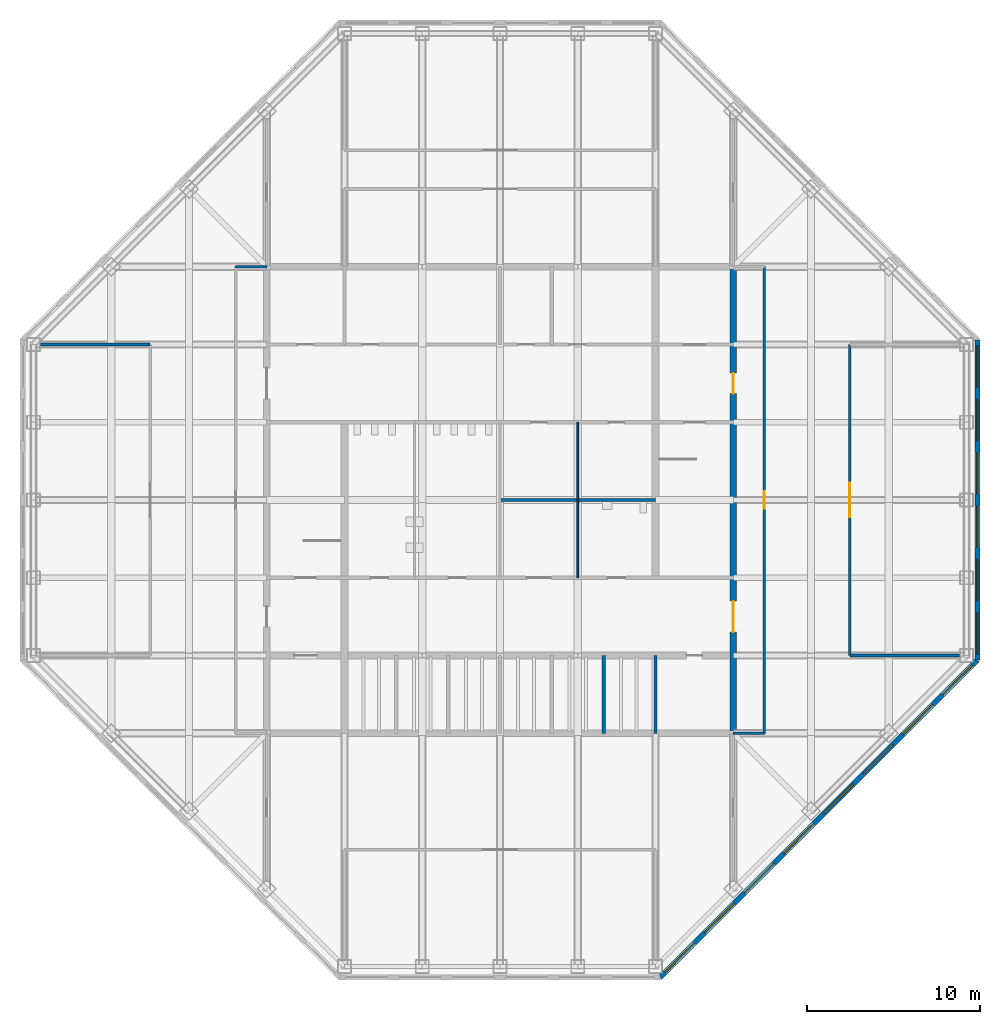
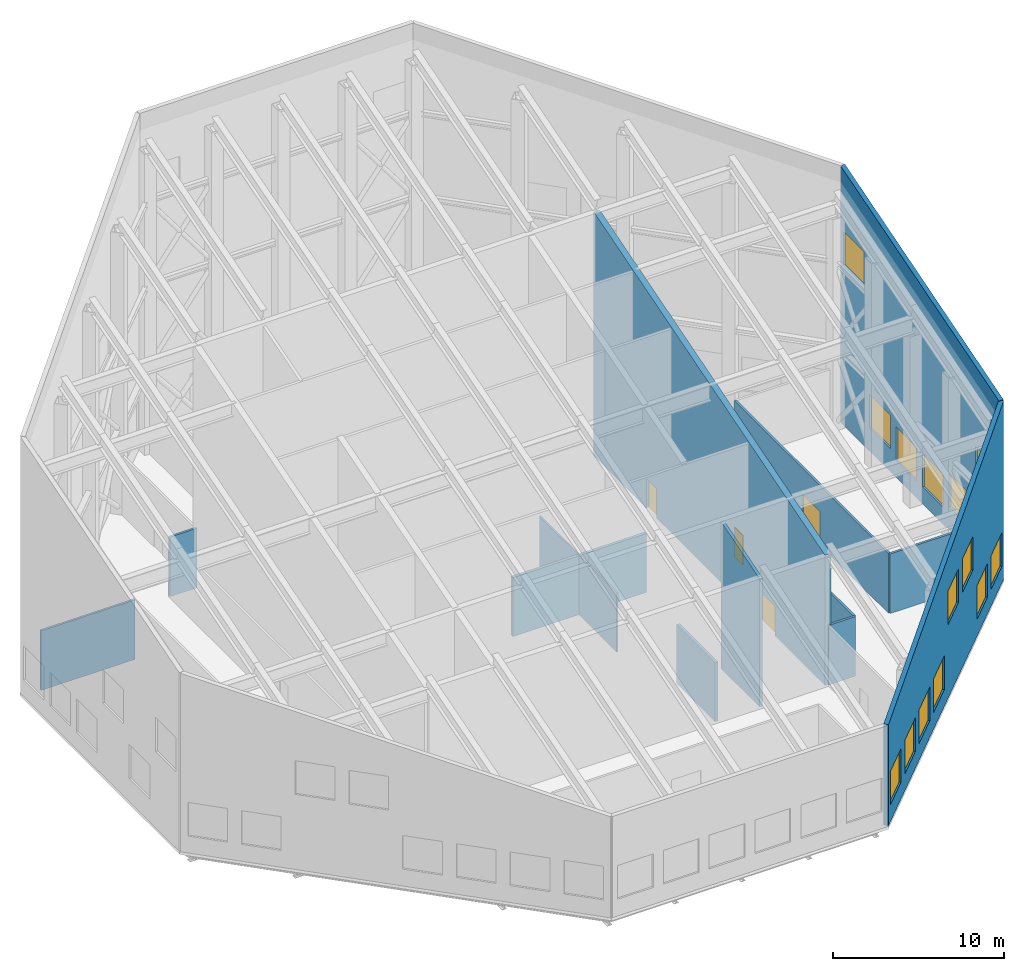
# One storey, part 6 of 10: 14 windows, 13 walls, 4 doors, 18 openings.
"""IFC4 building model written with IfcOpenShell, lengths in metres."""

from ifc_helpers import new_model, si_unit, direction, frame, frame_2d, origin, place, context, subcontext, project, spatial, polyline, rectangle, outline, extrude, material, layer, layer_set, type_object, element, fill, save


model = new_model("IFC4")

# Units and contexts
model_context = context("Model", 3, precision=1e-05, world=origin(), true_north=direction((0.0, 1.0)))
body_context = subcontext(model_context, "Body", "Model", "MODEL_VIEW")
ifc_project = project(units=[si_unit("LENGTHUNIT", "METRE"), si_unit("AREAUNIT", "SQUARE_METRE"), si_unit("VOLUMEUNIT", "CUBIC_METRE"), si_unit("PLANEANGLEUNIT", "RADIAN"), si_unit("MASSUNIT", "GRAM", prefix="KILO")], contexts=[model_context])

# Site, building, storey
site_placement = place(None, origin())
site = spatial("IfcSite", under=ifc_project, at=site_placement, CompositionType="ELEMENT")
building_placement = place(site_placement, origin())
building = spatial("IfcBuilding", under=site, at=building_placement, Name="Corais Broadcast Tower", CompositionType="ELEMENT")
storey_placement = place(building_placement, frame((0.0, 0.0, 320.10009765625)))
storey = spatial("IfcBuildingStorey", under=building, at=storey_placement, Name="L75", CompositionType="ELEMENT", Elevation=320.10009765625)

# Wall
ifc_material_1 = material(Name="Concrete blockwork class A, grouted, two-hour", Category="masonry")
ifc_layer_1 = layer(ifc_material_1, 0.199951171875)
ifc_layer_set_1 = layer_set([ifc_layer_1], Name="Concrete blockwork class A, grouted, two-hour")
wall_type_1 = type_object("IfcWallType", Name="Core lobby wall 200", PredefinedType="SOLIDWALL", material=ifc_layer_set_1)
wall_1_placement = place(storey_placement, frame((36.0, 13.5, 0.0), z_axis=(0.0, 0.0, 1.0), x_axis=(0.0, 1.0, 0.0)))
element("IfcWall", 1, at=wall_1_placement, inside=storey, type_object=wall_type_1, Name="CL3 core shaft wall X36A L75", PredefinedType="SOLIDWALL", context=body_context, shape_type="SweptSolid", body=[
    extrude(outline(polyline([(0.0, 0.0), (4.5, 0.0), (4.5, 10.47705078125), (0.0, 9.126953125), (0.0, 0.0)])), frame((0.0, 0.10009765625, 0.0), z_axis=(0.0, -1.0, 0.0), x_axis=(1.0, 0.0, 0.0)), (0.0, 0.0, 1.0), 0.199951171875),
])

# Wall, openings, doors
ifc_material_2 = material(Name="Concrete C50/60", Category="concrete")
ifc_layer_2 = layer(ifc_material_2, 0.39990234375)
ifc_layer_set_2 = layer_set([ifc_layer_2], Name="Concrete C50/60")
wall_type_2 = type_object("IfcWallType", Name="Core wall 400", PredefinedType="SHEAR", material=ifc_layer_set_2)
wall_2_placement = place(storey_placement, frame((40.5, 13.5, 0.0), z_axis=(0.0, 0.0, 1.0), x_axis=(0.0, 1.0, 0.0)))
wall_2 = element("IfcWall", 2, at=wall_2_placement, inside=storey, type_object=wall_type_2, Name="CR400 core wall E L75", PredefinedType="SHEAR", context=body_context, shape_type="SweptSolid", body=[
    extrude(outline(polyline([(0.0, 0.0), (27.0, 0.0), (27.0, 17.376953125), (0.0, 9.277099609375), (0.0, 0.0)])), frame((0.0, 0.199951171875, 0.0), z_axis=(0.0, -1.0, 0.0), x_axis=(1.0, 0.0, 0.0)), (0.0, 0.0, 1.0), 0.39990234375),
])
opening_1_placement = place(wall_2_placement, frame((5.85009765625, 0.0, 0.0)))
opening_1 = element("IfcOpeningElement", 3, at=opening_1_placement, cuts=wall_2, Name="Opening FD2", PredefinedType="OPENING", context=body_context, shape_type="SweptSolid", body=[
    extrude(rectangle(XDim=1.800048828125, YDim=2.10009765625, at=frame_2d((0.89990234375, 1.050048828125))), frame((0.0, 0.2099609375, 0.0), z_axis=(0.0, -1.0, 0.0), x_axis=(1.0, 0.0, 0.0)), (0.0, 0.0, 1.0), 0.419921875),
])
opening_2_placement = place(wall_2_placement, frame((19.64990234375, 0.0, 0.0)))
opening_2 = element("IfcOpeningElement", 4, at=opening_2_placement, cuts=wall_2, Name="Opening FD1", PredefinedType="OPENING", context=body_context, shape_type="SweptSolid", body=[
    extrude(rectangle(XDim=1.199951171875, YDim=2.10009765625, at=frame_2d((0.60009765625, 1.050048828125))), frame((0.0, 0.2099609375, 0.0), z_axis=(0.0, -1.0, 0.0), x_axis=(1.0, 0.0, 0.0)), (0.0, 0.0, 1.0), 0.419921875),
])
ifc_material_3 = material(Name="Steel fire door", Category="steel")
door_type_1 = type_object("IfcDoorType", Name="Fire door 1200x2100", OperationType="SINGLE_SWING_LEFT", PredefinedType="DOOR", material=ifc_material_3)
door_1_placement = place(opening_2_placement, origin())
door_1 = element("IfcDoor", 5, at=door_1_placement, inside=storey, type_object=door_type_1, Name="FD1 fire lobby B door L75", OperationType="SINGLE_SWING_RIGHT", OverallHeight=2.10009765625, OverallWidth=1.199951171875, PredefinedType="DOOR", context=body_context, shape_type="SweptSolid", body=[
    extrude(rectangle(XDim=1.199951171875, YDim=2.10009765625, at=frame_2d((0.60009765625, 1.050048828125))), frame((0.0, 0.02490234375, 0.0), z_axis=(0.0, -1.0, 0.0), x_axis=(1.0, 0.0, 0.0)), (0.0, 0.0, 1.0), 0.050048828125),
])
fill(opening_2, door_1)
ifc_material_4 = material(Name="Steel fire door", Category="steel")
door_type_2 = type_object("IfcDoorType", Name="Fire door pair 1800x2100", OperationType="DOUBLE_DOOR_SINGLE_SWING", PredefinedType="DOOR", material=ifc_material_4)
door_2_placement = place(opening_1_placement, origin())
door_2 = element("IfcDoor", 6, at=door_2_placement, inside=storey, type_object=door_type_2, Name="FD2 lift lobby door L75", OperationType="SINGLE_SWING_LEFT", OverallHeight=2.10009765625, OverallWidth=1.800048828125, PredefinedType="DOOR", context=body_context, shape_type="SweptSolid", body=[
    extrude(rectangle(XDim=1.800048828125, YDim=2.10009765625, at=frame_2d((0.89990234375, 1.050048828125))), frame((0.0, 0.02490234375, 0.0), z_axis=(0.0, -1.0, 0.0), x_axis=(1.0, 0.0, 0.0)), (0.0, 0.0, 1.0), 0.050048828125),
])
fill(opening_1, door_2)

# Walls
ifc_material_5 = material(Name="Two layers of fire-rated gypsum board each side on steel studs", Category="steel")
ifc_layer_3 = layer(ifc_material_5, 0.14990234375)
ifc_layer_set_3 = layer_set([ifc_layer_3], Name="Two layers of fire-rated gypsum board each side on steel studs")
wall_type_3 = type_object("IfcWallType", Name="Fire-rated partition 150 EI 60", PredefinedType="PARTITIONING", material=ifc_layer_set_3)
for number, where, z_axis, x_axis, name in (
    (7, (6.75, 36.0, 0.0), (0.0, 0.0, 1.0), (-1.0, 0.0, 0.0), "IW7 partition L75"),
    (8, (47.25, 18.0, 0.0), (0.0, 0.0, 1.0), (1.0, 0.0, 0.0), "IW7 partition L75"),
):
    element("IfcWall", number, at=place(storey_placement, frame(where, z_axis=z_axis, x_axis=x_axis)), inside=storey, type_object=wall_type_3, Name=name, PredefinedType="PARTITIONING", context=body_context, shape_type="SweptSolid", body=[
        extrude(rectangle(XDim=6.340087890625, YDim=0.14990234375, at=frame_2d((3.169921875, 0.0))), origin(), (0.0, 0.0, 1.0), 4.245849609375),
    ])

# Wall, opening, door
wall_3_placement = place(storey_placement, frame((47.25, 36.0, 0.0), z_axis=(0.0, 0.0, 1.0), x_axis=(0.0, -1.0, 0.0)))
wall_3 = element("IfcWall", 9, at=wall_3_placement, inside=storey, type_object=wall_type_3, Name="IW7 partition L75", PredefinedType="PARTITIONING", context=body_context, shape_type="SweptSolid", body=[
    extrude(rectangle(XDim=18.0, YDim=0.14990234375, at=frame_2d((9.0, 0.0))), origin(), (0.0, 0.0, 1.0), 4.245849609375),
])
opening_3_placement = place(wall_3_placement, frame((8.0, 0.0, 0.0)))
opening_3 = element("IfcOpeningElement", 10, at=opening_3_placement, cuts=wall_3, Name="Opening D4", PredefinedType="OPENING", context=body_context, shape_type="SweptSolid", body=[
    extrude(rectangle(XDim=2.0, YDim=2.39990234375, at=frame_2d((1.0, 1.199951171875))), frame((0.0, 0.0849609375, 0.0), z_axis=(0.0, -1.0, 0.0), x_axis=(1.0, 0.0, 0.0)), (0.0, 0.0, 1.0), 0.169921875),
])
ifc_material_6 = material(Name="Steel door", Category="steel")
door_type_3 = type_object("IfcDoorType", Name="Plant room door pair 2000x2400", OperationType="DOUBLE_DOOR_SINGLE_SWING", PredefinedType="DOOR", material=ifc_material_6)
door_3_placement = place(opening_3_placement, origin())
door_3 = element("IfcDoor", 11, at=door_3_placement, inside=storey, type_object=door_type_3, Name="D4 Electrical switch room door", OperationType="SINGLE_SWING_LEFT", OverallHeight=2.39990234375, OverallWidth=2.0, PredefinedType="DOOR", context=body_context, shape_type="SweptSolid", body=[
    extrude(rectangle(XDim=2.0, YDim=2.39990234375, at=frame_2d((1.0, 1.199951171875))), frame((0.0, 0.02490234375, 0.0), z_axis=(0.0, -1.0, 0.0), x_axis=(1.0, 0.0, 0.0)), (0.0, 0.0, 1.0), 0.050048828125),
])
fill(opening_3, door_3)

ifc_material_7 = material(Name="Gypsum board on steel studs", Category="steel")
ifc_layer_4 = layer(ifc_material_7, 0.14990234375)
ifc_layer_set_4 = layer_set([ifc_layer_4], Name="Gypsum board on steel studs")
wall_type_4 = type_object("IfcWallType", Name="Partition 150", PredefinedType="PARTITIONING", material=ifc_layer_set_4)
wall_4_placement = place(storey_placement, frame((42.300048828125, 13.5, 0.0), z_axis=(0.0, 0.0, 1.0), x_axis=(0.0, 1.0, 0.0)))
wall_4 = element("IfcWall", 12, at=wall_4_placement, inside=storey, type_object=wall_type_4, Name="IW3 corridor wall L75", PredefinedType="PARTITIONING", context=body_context, shape_type="SweptSolid", body=[
    extrude(rectangle(XDim=27.0, YDim=0.14990234375, at=frame_2d((13.5, 0.0))), origin(), (0.0, 0.0, 1.0), 4.245849609375),
])
opening_4_placement = place(wall_4_placement, frame((13.0, 0.0, 0.0)))
opening_4 = element("IfcOpeningElement", 13, at=opening_4_placement, cuts=wall_4, Name="Opening D1", PredefinedType="OPENING", context=body_context, shape_type="SweptSolid", body=[
    extrude(rectangle(XDim=1.0, YDim=2.10009765625, at=frame_2d((0.5, 1.050048828125))), frame((0.0, 0.0849609375, 0.0), z_axis=(0.0, -1.0, 0.0), x_axis=(1.0, 0.0, 0.0)), (0.0, 0.0, 1.0), 0.169921875),
])
ifc_material_8 = material(Name="Timber door", Category="wood")
door_type_4 = type_object("IfcDoorType", Name="Single door 1000x2100", OperationType="SINGLE_SWING_LEFT", PredefinedType="DOOR", material=ifc_material_8)
door_4_placement = place(opening_4_placement, origin())
door_4 = element("IfcDoor", 14, at=door_4_placement, inside=storey, type_object=door_type_4, Name="D1 workplace door L75", OperationType="SINGLE_SWING_LEFT", OverallHeight=2.10009765625, OverallWidth=1.0, PredefinedType="DOOR", context=body_context, shape_type="SweptSolid", body=[
    extrude(rectangle(XDim=1.0, YDim=2.10009765625, at=frame_2d((0.5, 1.050048828125))), frame((0.0, 0.02490234375, 0.0), z_axis=(0.0, -1.0, 0.0), x_axis=(1.0, 0.0, 0.0)), (0.0, 0.0, 1.0), 0.050048828125),
])
fill(opening_4, door_4)

# Walls
for number, where, z_axis, x_axis, name in (
    (15, (13.510009765625, 40.5, 0.0), (0.0, 0.0, 1.0), (-1.0, 0.0, 0.0), "IW3 corridor wall L75"),
    (16, (40.489990234375, 13.5, 0.0), (0.0, 0.0, 1.0), (1.0, 0.0, 0.0), "IW3 corridor wall L75"),
):
    element("IfcWall", number, at=place(storey_placement, frame(where, z_axis=z_axis, x_axis=x_axis)), inside=storey, type_object=wall_type_4, Name=name, PredefinedType="PARTITIONING", context=body_context, shape_type="SweptSolid", body=[
        extrude(rectangle(XDim=1.81005859375, YDim=0.14990234375, at=frame_2d((0.905029296875, 0.0))), origin(), (0.0, 0.0, 1.0), 4.245849609375),
    ])
ifc_material_9 = material(Name="Concrete blockwork class A, grouted, two-hour", Category="masonry")
ifc_layer_5 = layer(ifc_material_9, 0.199951171875)
ifc_layer_set_5 = layer_set([ifc_layer_5], Name="Concrete blockwork class A, grouted, two-hour")
wall_type_5 = type_object("IfcWallType", Name="Shaft wall 200", PredefinedType="PARTITIONING", material=ifc_layer_set_5)
wall_5_placement = place(storey_placement, frame((33.0, 13.5, 0.0), z_axis=(0.0, 0.0, 1.0), x_axis=(0.0, 1.0, 0.0)))
element("IfcWall", 17, at=wall_5_placement, inside=storey, type_object=wall_type_5, Name="IW1 shaft wall L75", PredefinedType="PARTITIONING", context=body_context, shape_type="SweptSolid", body=[
    extrude(rectangle(XDim=4.5, YDim=0.199951171875, at=frame_2d((2.25, 0.0))), origin(), (0.0, 0.0, 1.0), 4.199951171875),
])
wall_6_placement = place(storey_placement, frame((27.0, 27.0, 0.0), z_axis=(0.0, 0.0, 1.0), x_axis=(1.0, 0.0, 0.0)))
element("IfcWall", 18, at=wall_6_placement, inside=storey, type_object=wall_type_5, Name="IW1 shaft wall L75", PredefinedType="PARTITIONING", context=body_context, shape_type="SweptSolid", body=[
    extrude(rectangle(XDim=9.0, YDim=0.199951171875, at=frame_2d((4.5, 0.0))), origin(), (0.0, 0.0, 1.0), 4.199951171875),
])

# Wall, openings, windows
ifc_material_10 = material(Name="Precast concrete C40/50", Category="concrete")
ifc_layer_6 = layer(ifc_material_10, 0.300048828125)
ifc_layer_set_6 = layer_set([ifc_layer_6], Name="Precast concrete C40/50")
wall_type_6 = type_object("IfcWallType", Name="Stone-faced precast wall 300", PredefinedType="SOLIDWALL", material=ifc_layer_set_6)
wall_7_placement = place(storey_placement, frame((54.6298828125, 36.260986328125, 0.0), z_axis=(0.0, 0.0, 1.0), x_axis=(0.0, -1.0, 0.0)))
wall_7 = element("IfcWall", 19, at=wall_7_placement, inside=storey, type_object=wall_type_6, Name="EW1 crown wall L75 6", PredefinedType="SOLIDWALL", context=body_context, shape_type="SweptSolid", body=[
    extrude(outline(polyline([(0.0, 0.0), (18.52197265625, 0.0), (18.52197265625, 12.7216796875), (0.0, 18.2783203125), (0.0, 0.0)])), frame((0.0, 0.14990234375, 0.0), z_axis=(0.0, -1.0, 0.0), x_axis=(1.0, 0.0, 0.0)), (0.0, 0.0, 1.0), 0.300048828125),
])
opening_5_placement = place(wall_7_placement, frame((0.343505859375, 0.0, 11.39990234375)))
opening_5 = element("IfcOpeningElement", 20, at=opening_5_placement, cuts=wall_7, Name="Opening LV2", PredefinedType="OPENING", context=body_context, shape_type="SweptSolid", body=[
    extrude(rectangle(XDim=2.39990234375, YDim=2.39990234375, at=frame_2d((1.199951171875, 1.199951171875))), frame((0.0, 0.159912109375, 0.0), z_axis=(0.0, -1.0, 0.0), x_axis=(1.0, 0.0, 0.0)), (0.0, 0.0, 1.0), 0.320068359375),
])
opening_6_placement = place(wall_7_placement, frame((3.430419921875, 0.0, 1.64990234375)))
opening_6 = element("IfcOpeningElement", 21, at=opening_6_placement, cuts=wall_7, Name="Opening LV2", PredefinedType="OPENING", context=body_context, shape_type="SweptSolid", body=[
    extrude(rectangle(XDim=2.39990234375, YDim=2.39990234375, at=frame_2d((1.199951171875, 1.199951171875))), frame((0.0, 0.159912109375, 0.0), z_axis=(0.0, -1.0, 0.0), x_axis=(1.0, 0.0, 0.0)), (0.0, 0.0, 1.0), 0.320068359375),
])
opening_7_placement = place(wall_7_placement, frame((6.517578125, 0.0, 1.199951171875)))
opening_7 = element("IfcOpeningElement", 22, at=opening_7_placement, cuts=wall_7, Name="Opening LV2", PredefinedType="OPENING", context=body_context, shape_type="SweptSolid", body=[
    extrude(rectangle(XDim=2.39990234375, YDim=2.39990234375, at=frame_2d((1.199951171875, 1.199951171875))), frame((0.0, 0.159912109375, 0.0), z_axis=(0.0, -1.0, 0.0), x_axis=(1.0, 0.0, 0.0)), (0.0, 0.0, 1.0), 0.320068359375),
])
opening_8_placement = place(wall_7_placement, frame((9.6044921875, 0.0, 1.199951171875)))
opening_8 = element("IfcOpeningElement", 23, at=opening_8_placement, cuts=wall_7, Name="Opening LV2", PredefinedType="OPENING", context=body_context, shape_type="SweptSolid", body=[
    extrude(rectangle(XDim=2.39990234375, YDim=2.39990234375, at=frame_2d((1.199951171875, 1.199951171875))), frame((0.0, 0.159912109375, 0.0), z_axis=(0.0, -1.0, 0.0), x_axis=(1.0, 0.0, 0.0)), (0.0, 0.0, 1.0), 0.320068359375),
])
opening_9_placement = place(wall_7_placement, frame((12.69140625, 0.0, 1.64990234375)))
opening_9 = element("IfcOpeningElement", 24, at=opening_9_placement, cuts=wall_7, Name="Opening LV2", PredefinedType="OPENING", context=body_context, shape_type="SweptSolid", body=[
    extrude(rectangle(XDim=2.39990234375, YDim=2.39990234375, at=frame_2d((1.199951171875, 1.199951171875))), frame((0.0, 0.159912109375, 0.0), z_axis=(0.0, -1.0, 0.0), x_axis=(1.0, 0.0, 0.0)), (0.0, 0.0, 1.0), 0.320068359375),
])
opening_10_placement = place(wall_7_placement, frame((15.778564453125, 0.0, 5.449951171875)))
opening_10 = element("IfcOpeningElement", 25, at=opening_10_placement, cuts=wall_7, Name="Opening LV2", PredefinedType="OPENING", context=body_context, shape_type="SweptSolid", body=[
    extrude(rectangle(XDim=2.39990234375, YDim=2.39990234375, at=frame_2d((1.199951171875, 1.199951171875))), frame((0.0, 0.159912109375, 0.0), z_axis=(0.0, -1.0, 0.0), x_axis=(1.0, 0.0, 0.0)), (0.0, 0.0, 1.0), 0.320068359375),
])
ifc_material_11 = material(Name="Aluminium frame", Category="aluminium")
window_type = type_object("IfcWindowType", Name="Crown louvre 2400x2400", PartitioningType="SINGLE_PANEL", PredefinedType="USERDEFINED", material=ifc_material_11)
window_1_placement = place(opening_5_placement, origin())
window_1 = element("IfcWindow", 26, at=window_1_placement, inside=storey, type_object=window_type, Name="LV2 window L75", ObjectType="LOUVRE", OverallHeight=2.39990234375, OverallWidth=2.39990234375, PartitioningType="SINGLE_PANEL", PredefinedType="USERDEFINED", context=body_context, shape_type="SweptSolid", body=[
    extrude(rectangle(XDim=2.39990234375, YDim=2.39990234375, at=frame_2d((1.199951171875, 1.199951171875))), frame((0.0, 0.030029296875, 0.0), z_axis=(0.0, -1.0, 0.0), x_axis=(1.0, 0.0, 0.0)), (0.0, 0.0, 1.0), 0.06005859375),
])
fill(opening_5, window_1)
window_2_placement = place(opening_6_placement, origin())
window_2 = element("IfcWindow", 27, at=window_2_placement, inside=storey, type_object=window_type, Name="LV2 window L75", ObjectType="LOUVRE", OverallHeight=2.39990234375, OverallWidth=2.39990234375, PartitioningType="SINGLE_PANEL", PredefinedType="USERDEFINED", context=body_context, shape_type="SweptSolid", body=[
    extrude(rectangle(XDim=2.39990234375, YDim=2.39990234375, at=frame_2d((1.199951171875, 1.199951171875))), frame((0.0, 0.030029296875, 0.0), z_axis=(0.0, -1.0, 0.0), x_axis=(1.0, 0.0, 0.0)), (0.0, 0.0, 1.0), 0.06005859375),
])
fill(opening_6, window_2)
window_3_placement = place(opening_7_placement, origin())
window_3 = element("IfcWindow", 28, at=window_3_placement, inside=storey, type_object=window_type, Name="LV2 window L75", ObjectType="LOUVRE", OverallHeight=2.39990234375, OverallWidth=2.39990234375, PartitioningType="SINGLE_PANEL", PredefinedType="USERDEFINED", context=body_context, shape_type="SweptSolid", body=[
    extrude(rectangle(XDim=2.39990234375, YDim=2.39990234375, at=frame_2d((1.199951171875, 1.199951171875))), frame((0.0, 0.030029296875, 0.0), z_axis=(0.0, -1.0, 0.0), x_axis=(1.0, 0.0, 0.0)), (0.0, 0.0, 1.0), 0.06005859375),
])
fill(opening_7, window_3)
window_4_placement = place(opening_8_placement, origin())
window_4 = element("IfcWindow", 29, at=window_4_placement, inside=storey, type_object=window_type, Name="LV2 window L75", ObjectType="LOUVRE", OverallHeight=2.39990234375, OverallWidth=2.39990234375, PartitioningType="SINGLE_PANEL", PredefinedType="USERDEFINED", context=body_context, shape_type="SweptSolid", body=[
    extrude(rectangle(XDim=2.39990234375, YDim=2.39990234375, at=frame_2d((1.199951171875, 1.199951171875))), frame((0.0, 0.030029296875, 0.0), z_axis=(0.0, -1.0, 0.0), x_axis=(1.0, 0.0, 0.0)), (0.0, 0.0, 1.0), 0.06005859375),
])
fill(opening_8, window_4)
window_5_placement = place(opening_9_placement, origin())
window_5 = element("IfcWindow", 30, at=window_5_placement, inside=storey, type_object=window_type, Name="LV2 window L75", ObjectType="LOUVRE", OverallHeight=2.39990234375, OverallWidth=2.39990234375, PartitioningType="SINGLE_PANEL", PredefinedType="USERDEFINED", context=body_context, shape_type="SweptSolid", body=[
    extrude(rectangle(XDim=2.39990234375, YDim=2.39990234375, at=frame_2d((1.199951171875, 1.199951171875))), frame((0.0, 0.030029296875, 0.0), z_axis=(0.0, -1.0, 0.0), x_axis=(1.0, 0.0, 0.0)), (0.0, 0.0, 1.0), 0.06005859375),
])
fill(opening_9, window_5)
window_6_placement = place(opening_10_placement, origin())
window_6 = element("IfcWindow", 31, at=window_6_placement, inside=storey, type_object=window_type, Name="LV2 window L75", ObjectType="LOUVRE", OverallHeight=2.39990234375, OverallWidth=2.39990234375, PartitioningType="SINGLE_PANEL", PredefinedType="USERDEFINED", context=body_context, shape_type="SweptSolid", body=[
    extrude(rectangle(XDim=2.39990234375, YDim=2.39990234375, at=frame_2d((1.199951171875, 1.199951171875))), frame((0.0, 0.030029296875, 0.0), z_axis=(0.0, -1.0, 0.0), x_axis=(1.0, 0.0, 0.0)), (0.0, 0.0, 1.0), 0.06005859375),
])
fill(opening_10, window_6)

wall_8_placement = place(storey_placement, frame((54.6298828125, 17.739013671875, 0.0), z_axis=(0.0, 0.0, 1.0), x_axis=(-0.707106781187, -0.707106781187, 0.0)))
wall_8 = element("IfcWall", 32, at=wall_8_placement, inside=storey, type_object=wall_type_6, Name="EW1 crown wall L75 7", PredefinedType="SOLIDWALL", context=body_context, shape_type="SweptSolid", body=[
    extrude(outline(polyline([(0.0, 0.0), (25.9775390625, 0.0), (25.977783203125, 7.2109375), (0.0, 12.7216796875), (0.0, 0.0)])), frame((0.0, 0.14990234375, 0.0), z_axis=(0.0, -1.0, 0.0), x_axis=(1.0, 0.0, 0.0)), (0.0, 0.0, 1.0), 0.300048828125),
])
opening_11_placement = place(wall_8_placement, frame((0.423583984375, 0.0, 1.199951171875)))
opening_11 = element("IfcOpeningElement", 33, at=opening_11_placement, cuts=wall_8, Name="Opening LV2", PredefinedType="OPENING", context=body_context, shape_type="SweptSolid", body=[
    extrude(rectangle(XDim=2.39990234375, YDim=2.39990234375, at=frame_2d((1.199951171875, 1.199951171875))), frame((0.0, 0.159912109375, 0.0), z_axis=(0.0, -1.0, 0.0), x_axis=(1.0, 0.0, 0.0)), (0.0, 0.0, 1.0), 0.320068359375),
])
opening_12_placement = place(wall_8_placement, frame((3.6708984375, 0.0, 1.199951171875)))
opening_12 = element("IfcOpeningElement", 34, at=opening_12_placement, cuts=wall_8, Name="Opening LV2", PredefinedType="OPENING", context=body_context, shape_type="SweptSolid", body=[
    extrude(rectangle(XDim=2.39990234375, YDim=2.39990234375, at=frame_2d((1.199951171875, 1.199951171875))), frame((0.0, 0.159912109375, 0.0), z_axis=(0.0, -1.0, 0.0), x_axis=(1.0, 0.0, 0.0)), (0.0, 0.0, 1.0), 0.320068359375),
])
opening_13_placement = place(wall_8_placement, frame((6.91796875, 0.0, 5.35009765625)))
opening_13 = element("IfcOpeningElement", 35, at=opening_13_placement, cuts=wall_8, Name="Opening LV2", PredefinedType="OPENING", context=body_context, shape_type="SweptSolid", body=[
    extrude(rectangle(XDim=2.39990234375, YDim=2.39990234375, at=frame_2d((1.199951171875, 1.199951171875))), frame((0.0, 0.159912109375, 0.0), z_axis=(0.0, -1.0, 0.0), x_axis=(1.0, 0.0, 0.0)), (0.0, 0.0, 1.0), 0.320068359375),
])
opening_14_placement = place(wall_8_placement, frame((10.165283203125, 0.0, 5.25)))
opening_14 = element("IfcOpeningElement", 36, at=opening_14_placement, cuts=wall_8, Name="Opening LV2", PredefinedType="OPENING", context=body_context, shape_type="SweptSolid", body=[
    extrude(rectangle(XDim=2.39990234375, YDim=2.39990234375, at=frame_2d((1.199951171875, 1.199951171875))), frame((0.0, 0.159912109375, 0.0), z_axis=(0.0, -1.0, 0.0), x_axis=(1.0, 0.0, 0.0)), (0.0, 0.0, 1.0), 0.320068359375),
])
opening_15_placement = place(wall_8_placement, frame((13.412353515625, 0.0, 1.199951171875)))
opening_15 = element("IfcOpeningElement", 37, at=opening_15_placement, cuts=wall_8, Name="Opening LV2", PredefinedType="OPENING", context=body_context, shape_type="SweptSolid", body=[
    extrude(rectangle(XDim=2.39990234375, YDim=2.39990234375, at=frame_2d((1.199951171875, 1.199951171875))), frame((0.0, 0.159912109375, 0.0), z_axis=(0.0, -1.0, 0.0), x_axis=(1.0, 0.0, 0.0)), (0.0, 0.0, 1.0), 0.320068359375),
])
opening_16_placement = place(wall_8_placement, frame((16.65966796875, 0.0, 1.199951171875)))
opening_16 = element("IfcOpeningElement", 38, at=opening_16_placement, cuts=wall_8, Name="Opening LV2", PredefinedType="OPENING", context=body_context, shape_type="SweptSolid", body=[
    extrude(rectangle(XDim=2.39990234375, YDim=2.39990234375, at=frame_2d((1.199951171875, 1.199951171875))), frame((0.0, 0.159912109375, 0.0), z_axis=(0.0, -1.0, 0.0), x_axis=(1.0, 0.0, 0.0)), (0.0, 0.0, 1.0), 0.320068359375),
])
opening_17_placement = place(wall_8_placement, frame((19.906982421875, 0.0, 1.199951171875)))
opening_17 = element("IfcOpeningElement", 39, at=opening_17_placement, cuts=wall_8, Name="Opening LV2", PredefinedType="OPENING", context=body_context, shape_type="SweptSolid", body=[
    extrude(rectangle(XDim=2.39990234375, YDim=2.39990234375, at=frame_2d((1.199951171875, 1.199951171875))), frame((0.0, 0.159912109375, 0.0), z_axis=(0.0, -1.0, 0.0), x_axis=(1.0, 0.0, 0.0)), (0.0, 0.0, 1.0), 0.320068359375),
])
opening_18_placement = place(wall_8_placement, frame((23.154052734375, 0.0, 1.199951171875)))
opening_18 = element("IfcOpeningElement", 40, at=opening_18_placement, cuts=wall_8, Name="Opening LV2", PredefinedType="OPENING", context=body_context, shape_type="SweptSolid", body=[
    extrude(rectangle(XDim=2.39990234375, YDim=2.39990234375, at=frame_2d((1.199951171875, 1.199951171875))), frame((0.0, 0.159912109375, 0.0), z_axis=(0.0, -1.0, 0.0), x_axis=(1.0, 0.0, 0.0)), (0.0, 0.0, 1.0), 0.320068359375),
])
window_7_placement = place(opening_11_placement, origin())
window_7 = element("IfcWindow", 41, at=window_7_placement, inside=storey, type_object=window_type, Name="LV2 window L75", ObjectType="LOUVRE", OverallHeight=2.39990234375, OverallWidth=2.39990234375, PartitioningType="SINGLE_PANEL", PredefinedType="USERDEFINED", context=body_context, shape_type="SweptSolid", body=[
    extrude(rectangle(XDim=2.39990234375, YDim=2.39990234375, at=frame_2d((1.199951171875, 1.199951171875))), frame((0.0, 0.030029296875, 0.0), z_axis=(0.0, -1.0, 0.0), x_axis=(1.0, 0.0, 0.0)), (0.0, 0.0, 1.0), 0.06005859375),
])
fill(opening_11, window_7)
window_8_placement = place(opening_12_placement, origin())
window_8 = element("IfcWindow", 42, at=window_8_placement, inside=storey, type_object=window_type, Name="LV2 window L75", ObjectType="LOUVRE", OverallHeight=2.39990234375, OverallWidth=2.39990234375, PartitioningType="SINGLE_PANEL", PredefinedType="USERDEFINED", context=body_context, shape_type="SweptSolid", body=[
    extrude(rectangle(XDim=2.39990234375, YDim=2.39990234375, at=frame_2d((1.199951171875, 1.199951171875))), frame((0.0, 0.030029296875, 0.0), z_axis=(0.0, -1.0, 0.0), x_axis=(1.0, 0.0, 0.0)), (0.0, 0.0, 1.0), 0.06005859375),
])
fill(opening_12, window_8)
window_9_placement = place(opening_13_placement, origin())
window_9 = element("IfcWindow", 43, at=window_9_placement, inside=storey, type_object=window_type, Name="LV2 window L75", ObjectType="LOUVRE", OverallHeight=2.39990234375, OverallWidth=2.39990234375, PartitioningType="SINGLE_PANEL", PredefinedType="USERDEFINED", context=body_context, shape_type="SweptSolid", body=[
    extrude(rectangle(XDim=2.39990234375, YDim=2.39990234375, at=frame_2d((1.199951171875, 1.199951171875))), frame((0.0, 0.030029296875, 0.0), z_axis=(0.0, -1.0, 0.0), x_axis=(1.0, 0.0, 0.0)), (0.0, 0.0, 1.0), 0.06005859375),
])
fill(opening_13, window_9)
window_10_placement = place(opening_14_placement, origin())
window_10 = element("IfcWindow", 44, at=window_10_placement, inside=storey, type_object=window_type, Name="LV2 window L75", ObjectType="LOUVRE", OverallHeight=2.39990234375, OverallWidth=2.39990234375, PartitioningType="SINGLE_PANEL", PredefinedType="USERDEFINED", context=body_context, shape_type="SweptSolid", body=[
    extrude(rectangle(XDim=2.39990234375, YDim=2.39990234375, at=frame_2d((1.199951171875, 1.199951171875))), frame((0.0, 0.030029296875, 0.0), z_axis=(0.0, -1.0, 0.0), x_axis=(1.0, 0.0, 0.0)), (0.0, 0.0, 1.0), 0.06005859375),
])
fill(opening_14, window_10)
window_11_placement = place(opening_15_placement, origin())
window_11 = element("IfcWindow", 45, at=window_11_placement, inside=storey, type_object=window_type, Name="LV2 window L75", ObjectType="LOUVRE", OverallHeight=2.39990234375, OverallWidth=2.39990234375, PartitioningType="SINGLE_PANEL", PredefinedType="USERDEFINED", context=body_context, shape_type="SweptSolid", body=[
    extrude(rectangle(XDim=2.39990234375, YDim=2.39990234375, at=frame_2d((1.199951171875, 1.199951171875))), frame((0.0, 0.030029296875, 0.0), z_axis=(0.0, -1.0, 0.0), x_axis=(1.0, 0.0, 0.0)), (0.0, 0.0, 1.0), 0.06005859375),
])
fill(opening_15, window_11)
window_12_placement = place(opening_16_placement, origin())
window_12 = element("IfcWindow", 46, at=window_12_placement, inside=storey, type_object=window_type, Name="LV2 window L75", ObjectType="LOUVRE", OverallHeight=2.39990234375, OverallWidth=2.39990234375, PartitioningType="SINGLE_PANEL", PredefinedType="USERDEFINED", context=body_context, shape_type="SweptSolid", body=[
    extrude(rectangle(XDim=2.39990234375, YDim=2.39990234375, at=frame_2d((1.199951171875, 1.199951171875))), frame((0.0, 0.030029296875, 0.0), z_axis=(0.0, -1.0, 0.0), x_axis=(1.0, 0.0, 0.0)), (0.0, 0.0, 1.0), 0.06005859375),
])
fill(opening_16, window_12)
window_13_placement = place(opening_17_placement, origin())
window_13 = element("IfcWindow", 47, at=window_13_placement, inside=storey, type_object=window_type, Name="LV2 window L75", ObjectType="LOUVRE", OverallHeight=2.39990234375, OverallWidth=2.39990234375, PartitioningType="SINGLE_PANEL", PredefinedType="USERDEFINED", context=body_context, shape_type="SweptSolid", body=[
    extrude(rectangle(XDim=2.39990234375, YDim=2.39990234375, at=frame_2d((1.199951171875, 1.199951171875))), frame((0.0, 0.030029296875, 0.0), z_axis=(0.0, -1.0, 0.0), x_axis=(1.0, 0.0, 0.0)), (0.0, 0.0, 1.0), 0.06005859375),
])
fill(opening_17, window_13)
window_14_placement = place(opening_18_placement, origin())
window_14 = element("IfcWindow", 48, at=window_14_placement, inside=storey, type_object=window_type, Name="LV2 window L75", ObjectType="LOUVRE", OverallHeight=2.39990234375, OverallWidth=2.39990234375, PartitioningType="SINGLE_PANEL", PredefinedType="USERDEFINED", context=body_context, shape_type="SweptSolid", body=[
    extrude(rectangle(XDim=2.39990234375, YDim=2.39990234375, at=frame_2d((1.199951171875, 1.199951171875))), frame((0.0, 0.030029296875, 0.0), z_axis=(0.0, -1.0, 0.0), x_axis=(1.0, 0.0, 0.0)), (0.0, 0.0, 1.0), 0.06005859375),
])
fill(opening_18, window_14)

# Wall
ifc_material_12 = material(Name="Dense concrete blockwork class A, tiled both faces", Category="masonry")
ifc_layer_7 = layer(ifc_material_12, 0.10009765625)
ifc_layer_set_7 = layer_set([ifc_layer_7], Name="Dense concrete blockwork class A, tiled both faces")
wall_type_7 = type_object("IfcWallType", Name="Toilet wall 100", PredefinedType="PLUMBINGWALL", material=ifc_layer_set_7)
wall_9_placement = place(storey_placement, frame((31.5, 22.5, 0.0), z_axis=(0.0, 0.0, 1.0), x_axis=(0.0, 1.0, 0.0)))
element("IfcWall", 49, at=wall_9_placement, inside=storey, type_object=wall_type_7, Name="IW2 toilet wall L75", PredefinedType="PLUMBINGWALL", context=body_context, shape_type="SweptSolid", body=[
    extrude(rectangle(XDim=9.0, YDim=0.10009765625, at=frame_2d((4.5, 0.0))), origin(), (0.0, 0.0, 1.0), 4.245849609375),
])

save(model, "model.ifc")
